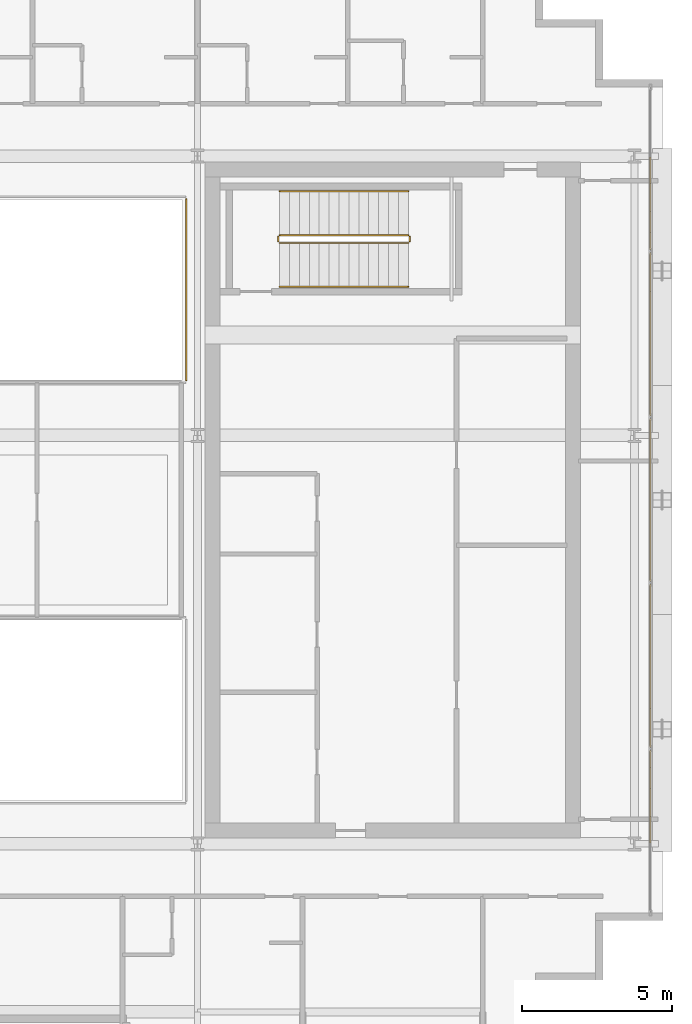
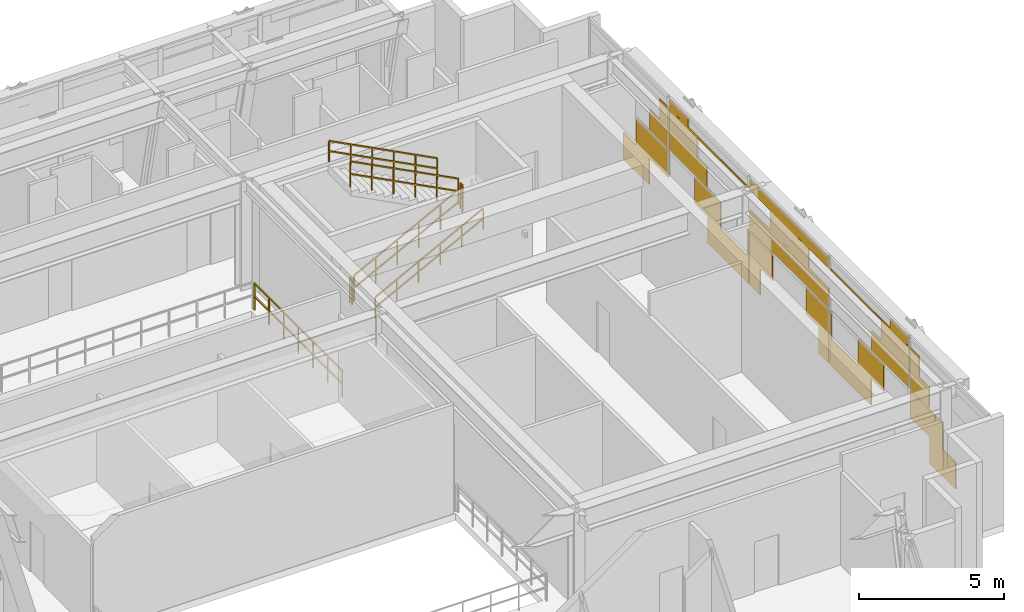
# One storey, part 30 of 31: 7 railings, 1 covering.
"""IFC4 building model written with IfcOpenShell, lengths in metres."""

from ifc_helpers import new_model, si_unit, direction, frame, origin, origin_2d, place, context, subcontext, project, spatial, rectangle, extrude, material, layer, layer_set, type_object, element, save


model = new_model("IFC4")

# Units and contexts
model_context = context("Model", 3, precision=1e-05, world=origin(), true_north=direction((0.0, 1.0)))
body_context = subcontext(model_context, "Body", "Model", "MODEL_VIEW")
ifc_project = project(units=[si_unit("LENGTHUNIT", "METRE"), si_unit("AREAUNIT", "SQUARE_METRE"), si_unit("VOLUMEUNIT", "CUBIC_METRE"), si_unit("PLANEANGLEUNIT", "RADIAN"), si_unit("MASSUNIT", "GRAM", prefix="KILO")], contexts=[model_context])

# Site, building, storey
site_placement = place(None, origin())
site = spatial("IfcSite", under=ifc_project, at=site_placement, CompositionType="ELEMENT")
building_placement = place(site_placement, origin())
building = spatial("IfcBuilding", under=site, at=building_placement, Name="Ocotamira Hotel", CompositionType="ELEMENT")
storey_placement = place(building_placement, frame((0.0, 0.0, 228.0)))
storey = spatial("IfcBuildingStorey", under=building, at=storey_placement, Name="L57", CompositionType="ELEMENT", Elevation=228.0)

# Covering
ifc_material_1 = material(Name="Insulated pale-metal aluminium spandrel panel", Category="aluminium")
ifc_layer = layer(ifc_material_1, 0.044921875)
ifc_layer_set = layer_set([ifc_layer], Name="Insulated pale-metal aluminium spandrel panel")
covering_type = type_object("IfcCoveringType", Name="COV-INFILL-45", PredefinedType="CLADDING", material=ifc_layer_set)
covering_placement = place(storey_placement, origin())
element("IfcCovering", 1, at=covering_placement, inside=storey, type_object=covering_type, Name="L57 Curtain Wall Infill CW-5 CW-L57-E", PredefinedType="CLADDING", context=body_context, shape_type="SweptSolid", body=[
    extrude(rectangle(XDim=1.767578125, YDim=0.044921875, at=origin_2d()), frame((55.580078125, 15.46435546875, 0.07568359375), z_axis=(0.0, 0.0, 1.0), x_axis=(0.0, 1.0, 0.0)), (0.0, 0.0, 1.0), 1.117919921875),
    extrude(rectangle(XDim=2.22021484375, YDim=0.044921875, at=origin_2d()), frame((55.580078125, 16.5693359375, 1.1943359375), z_axis=(0.0, 0.0, 1.0), x_axis=(0.0, 1.0, 0.0)), (0.0, 0.0, 1.0), 1.117919921875),
    extrude(rectangle(XDim=1.282958984375, YDim=0.044921875, at=origin_2d()), frame((55.580078125, 17.0380859375, 2.387939453125), z_axis=(0.0, 0.0, 1.0), x_axis=(0.0, 1.0, 0.0)), (0.0, 0.0, 1.0), 0.8720703125),
    extrude(rectangle(XDim=0.597412109375, YDim=0.044921875, at=origin_2d()), frame((55.580078125, 17.380859375, 3.260986328125), z_axis=(0.0, 0.0, 1.0), x_axis=(0.0, 1.0, 0.0)), (0.0, 0.0, 1.0), 0.8720703125),
    extrude(rectangle(XDim=1.767578125, YDim=0.044921875, at=origin_2d()), frame((55.580078125, 20.390380859375, 1.1943359375), z_axis=(0.0, 0.0, 1.0), x_axis=(0.0, 1.0, 0.0)), (0.0, 0.0, 1.0), 1.117919921875),
    extrude(rectangle(XDim=2.814453125, YDim=0.044921875, at=origin_2d()), frame((55.580078125, 21.792236328125, 0.07568359375), z_axis=(0.0, 0.0, 1.0), x_axis=(0.0, 1.0, 0.0)), (0.0, 0.0, 1.0), 1.117919921875),
    extrude(rectangle(XDim=0.10693359375, YDim=0.044921875, at=origin_2d()), frame((55.580078125, 23.14599609375, 1.1943359375), z_axis=(0.0, 0.0, 1.0), x_axis=(0.0, 1.0, 0.0)), (0.0, 0.0, 1.0), 1.117919921875),
    extrude(rectangle(XDim=2.576171875, YDim=0.044921875, at=origin_2d()), frame((55.580078125, 19.048583984375, 2.387939453125), z_axis=(0.0, 0.0, 1.0), x_axis=(0.0, 1.0, 0.0)), (0.0, 0.0, 1.0), 0.83447265625),
    extrude(rectangle(XDim=1.920166015625, YDim=0.044921875, at=origin_2d()), frame((55.580078125, 18.720458984375, 3.223388671875), z_axis=(0.0, 0.0, 1.0), x_axis=(0.0, 1.0, 0.0)), (0.0, 0.0, 1.0), 0.83447265625),
    extrude(rectangle(XDim=5.43896484375, YDim=0.044921875, at=origin_2d()), frame((55.580078125, 20.47998046875, 4.058837890625), z_axis=(0.0, 0.0, 1.0), x_axis=(0.0, 1.0, 0.0)), (0.0, 0.0, 1.0), 0.07421875),
    extrude(rectangle(XDim=1.30126953125, YDim=0.044921875, at=origin_2d()), frame((55.580078125, 18.4111328125, 4.1337890625), z_axis=(0.0, 0.0, 1.0), x_axis=(0.0, 1.0, 0.0)), (0.0, 0.0, 1.0), 0.37060546875),
    extrude(rectangle(XDim=0.700927734375, YDim=0.044921875, at=origin_2d()), frame((55.580078125, 23.631103515625, 0.07568359375), z_axis=(0.0, 0.0, 1.0), x_axis=(0.0, 1.0, 0.0)), (0.0, 0.0, 1.0), 1.117919921875),
    extrude(rectangle(XDim=1.57958984375, YDim=0.044921875, at=origin_2d()), frame((55.580078125, 24.0703125, 1.1943359375), z_axis=(0.0, 0.0, 1.0), x_axis=(0.0, 1.0, 0.0)), (0.0, 0.0, 1.0), 1.117919921875),
    extrude(rectangle(XDim=1.57958984375, YDim=0.044921875, at=origin_2d()), frame((55.580078125, 27.9296875, 1.1943359375), z_axis=(0.0, 0.0, 1.0), x_axis=(0.0, 1.0, 0.0)), (0.0, 0.0, 1.0), 1.117919921875),
    extrude(rectangle(XDim=0.700927734375, YDim=0.044921875, at=origin_2d()), frame((55.580078125, 28.368896484375, 0.07568359375), z_axis=(0.0, 0.0, 1.0), x_axis=(0.0, 1.0, 0.0)), (0.0, 0.0, 1.0), 1.117919921875),
    extrude(rectangle(XDim=5.43896484375, YDim=0.044921875, at=origin_2d()), frame((55.580078125, 26.0, 2.387939453125), z_axis=(0.0, 0.0, 1.0), x_axis=(0.0, 1.0, 0.0)), (0.0, 0.0, 1.0), 0.83447265625),
    extrude(rectangle(XDim=5.43896484375, YDim=0.044921875, at=origin_2d()), frame((55.580078125, 26.0, 4.05859375), z_axis=(0.0, 0.0, 1.0), x_axis=(0.0, 1.0, 0.0)), (0.0, 0.0, 1.0), 0.44580078125),
    extrude(rectangle(XDim=2.6279296875, YDim=0.044921875, at=origin_2d()), frame((55.580078125, 26.0, 3.223388671875), z_axis=(0.0, 0.0, 1.0), x_axis=(0.0, 1.0, 0.0)), (0.0, 0.0, 1.0), 0.83447265625),
    extrude(rectangle(XDim=2.814453125, YDim=0.044921875, at=origin_2d()), frame((55.580078125, 30.207763671875, 0.07568359375), z_axis=(0.0, 0.0, 1.0), x_axis=(0.0, 1.0, 0.0)), (0.0, 0.0, 1.0), 1.117919921875),
    extrude(rectangle(XDim=0.10693359375, YDim=0.044921875, at=origin_2d()), frame((55.580078125, 28.85400390625, 1.1943359375), z_axis=(0.0, 0.0, 1.0), x_axis=(0.0, 1.0, 0.0)), (0.0, 0.0, 1.0), 1.117919921875),
    extrude(rectangle(XDim=1.767578125, YDim=0.044921875, at=origin_2d()), frame((55.580078125, 31.609619140625, 1.1943359375), z_axis=(0.0, 0.0, 1.0), x_axis=(0.0, 1.0, 0.0)), (0.0, 0.0, 1.0), 1.117919921875),
    extrude(rectangle(XDim=5.43896484375, YDim=0.044921875, at=origin_2d()), frame((55.580078125, 31.52001953125, 4.058837890625), z_axis=(0.0, 0.0, 1.0), x_axis=(0.0, 1.0, 0.0)), (0.0, 0.0, 1.0), 0.07421875),
    extrude(rectangle(XDim=2.576171875, YDim=0.044921875, at=origin_2d()), frame((55.580078125, 32.951416015625, 2.387939453125), z_axis=(0.0, 0.0, 1.0), x_axis=(0.0, 1.0, 0.0)), (0.0, 0.0, 1.0), 0.83447265625),
    extrude(rectangle(XDim=1.920166015625, YDim=0.044921875, at=origin_2d()), frame((55.580078125, 33.279541015625, 3.223388671875), z_axis=(0.0, 0.0, 1.0), x_axis=(0.0, 1.0, 0.0)), (0.0, 0.0, 1.0), 0.83447265625),
    extrude(rectangle(XDim=1.30126953125, YDim=0.044921875, at=origin_2d()), frame((55.580078125, 33.5888671875, 4.1337890625), z_axis=(0.0, 0.0, 1.0), x_axis=(0.0, 1.0, 0.0)), (0.0, 0.0, 1.0), 0.37060546875),
    extrude(rectangle(XDim=2.22021484375, YDim=0.044921875, at=origin_2d()), frame((55.580078125, 35.4306640625, 1.1943359375), z_axis=(0.0, 0.0, 1.0), x_axis=(0.0, 1.0, 0.0)), (0.0, 0.0, 1.0), 1.117919921875),
    extrude(rectangle(XDim=1.767578125, YDim=0.044921875, at=origin_2d()), frame((55.580078125, 36.53564453125, 0.07568359375), z_axis=(0.0, 0.0, 1.0), x_axis=(0.0, 1.0, 0.0)), (0.0, 0.0, 1.0), 1.117919921875),
    extrude(rectangle(XDim=1.282958984375, YDim=0.044921875, at=origin_2d()), frame((55.580078125, 34.9619140625, 2.387939453125), z_axis=(0.0, 0.0, 1.0), x_axis=(0.0, 1.0, 0.0)), (0.0, 0.0, 1.0), 0.8720703125),
    extrude(rectangle(XDim=0.597412109375, YDim=0.044921875, at=origin_2d()), frame((55.580078125, 34.619140625, 3.260986328125), z_axis=(0.0, 0.0, 1.0), x_axis=(0.0, 1.0, 0.0)), (0.0, 0.0, 1.0), 0.8720703125),
])

# Railings
ifc_material_2 = material(Name="Painted steel stair guardrail", Category="steel")
railing_type_1 = type_object("IfcRailingType", Name="RL-EDGE-1150", PredefinedType="GUARDRAIL", material=ifc_material_2)
railing_1_placement = place(storey_placement, frame((40.1201171875, 29.97998046875, 0.0)))
element("IfcRailing", 2, at=railing_1_placement, inside=storey, type_object=railing_type_1, Name="L57 Atrium Bridge Lightwell Guard N E", PredefinedType="GUARDRAIL", context=body_context, shape_type="SweptSolid", body=[
    extrude(rectangle(XDim=0.048095703125, YDim=0.048095703125, at=origin_2d()), frame((0.0, 0.0, 1.1259765625), z_axis=(0.0, 1.0, 0.0), x_axis=(-1.0, 0.0, 0.0)), (0.0, 0.0, 1.0), 6.0400390625),
    extrude(rectangle(XDim=0.048095703125, YDim=0.048095703125, at=origin_2d()), frame((0.0, 0.0, 0.574951171875), z_axis=(0.0, 1.0, 0.0), x_axis=(-1.0, 0.0, 0.0)), (0.0, 0.0, 1.0), 6.0400390625),
    extrude(rectangle(XDim=0.0419921875, YDim=0.0419921875, at=origin_2d()), origin(), (0.0, 0.0, 1.0), 1.101806640625),
    extrude(rectangle(XDim=0.0419921875, YDim=0.0419921875, at=origin_2d()), frame((0.0, 1.006591796875, 0.0)), (0.0, 0.0, 1.0), 1.101806640625),
    extrude(rectangle(XDim=0.0419921875, YDim=0.0419921875, at=origin_2d()), frame((0.0, 2.013427734375, 0.0)), (0.0, 0.0, 1.0), 1.101806640625),
    extrude(rectangle(XDim=0.0419921875, YDim=0.0419921875, at=origin_2d()), frame((0.0, 3.02001953125, 0.0)), (0.0, 0.0, 1.0), 1.101806640625),
    extrude(rectangle(XDim=0.0419921875, YDim=0.0419921875, at=origin_2d()), frame((0.0, 4.026611328125, 0.0)), (0.0, 0.0, 1.0), 1.101806640625),
    extrude(rectangle(XDim=0.0419921875, YDim=0.0419921875, at=origin_2d()), frame((0.0, 5.033447265625, 0.0)), (0.0, 0.0, 1.0), 1.101806640625),
    extrude(rectangle(XDim=0.0419921875, YDim=0.0419921875, at=origin_2d()), frame((0.0, 6.0400390625, 0.0)), (0.0, 0.0, 1.0), 1.101806640625),
])
ifc_material_3 = material(Name="Brushed stainless steel handrail", Category="steel")
railing_type_2 = type_object("IfcRailingType", Name="RL-HAND-900", PredefinedType="HANDRAIL", material=ifc_material_3)
railing_2_placement = place(storey_placement, frame((43.22998046875, 33.10009765625, 0.3427734375)))
element("IfcRailing", 3, at=railing_2_placement, inside=storey, type_object=railing_type_2, Name="L57 ST-4 stair handrail 1", PredefinedType="HANDRAIL", context=body_context, shape_type="SweptSolid", body=[
    extrude(rectangle(XDim=0.048095703125, YDim=0.048095703125, at=origin_2d()), frame((0.0, 0.0, 0.8759765625), z_axis=(0.887391199149, 0.0, 0.46101720106), x_axis=(0.0, 1.0, 0.0)), (0.0, 0.0, 1.0), 4.83447265625),
    extrude(rectangle(XDim=0.048095703125, YDim=0.048095703125, at=origin_2d()), frame((0.0, 0.0, 0.449951171875), z_axis=(0.887391199149, 0.0, 0.46101720106), x_axis=(0.0, 1.0, 0.0)), (0.0, 0.0, 1.0), 4.83447265625),
    extrude(rectangle(XDim=0.0419921875, YDim=0.0419921875, at=origin_2d()), origin(), (0.0, 0.0, 1.0), 0.851806640625),
    extrude(rectangle(XDim=0.0419921875, YDim=0.0419921875, at=origin_2d()), frame((0.85791015625, 0.0, 0.44580078125)), (0.0, 0.0, 1.0), 0.851806640625),
    extrude(rectangle(XDim=0.0419921875, YDim=0.0419921875, at=origin_2d()), frame((1.716064453125, 0.0, 0.8916015625)), (0.0, 0.0, 1.0), 0.851806640625),
    extrude(rectangle(XDim=0.0419921875, YDim=0.0419921875, at=origin_2d()), frame((2.573974609375, 0.0, 1.337158203125)), (0.0, 0.0, 1.0), 0.851806640625),
    extrude(rectangle(XDim=0.0419921875, YDim=0.0419921875, at=origin_2d()), frame((3.43212890625, 0.0, 1.782958984375)), (0.0, 0.0, 1.0), 0.851806640625),
    extrude(rectangle(XDim=0.0419921875, YDim=0.0419921875, at=origin_2d()), frame((4.2900390625, 0.0, 2.228759765625)), (0.0, 0.0, 1.0), 0.851806640625),
])
railing_3_placement = place(storey_placement, frame((47.52001953125, 36.280029296875, 2.742919921875)))
element("IfcRailing", 4, at=railing_3_placement, inside=storey, type_object=railing_type_2, Name="L57 ST-4 stair handrail 2", PredefinedType="HANDRAIL", context=body_context, shape_type="SweptSolid", body=[
    extrude(rectangle(XDim=0.048095703125, YDim=0.048095703125, at=origin_2d()), frame((0.0, 0.0, 0.8759765625), z_axis=(-0.887411858541, 0.0, 0.46097743255), x_axis=(0.0, -1.0, 0.0)), (0.0, 0.0, 1.0), 4.834228515625),
    extrude(rectangle(XDim=0.048095703125, YDim=0.048095703125, at=origin_2d()), frame((0.0, 0.0, 0.449951171875), z_axis=(-0.887411858541, 0.0, 0.46097743255), x_axis=(0.0, -1.0, 0.0)), (0.0, 0.0, 1.0), 4.834228515625),
    extrude(rectangle(XDim=0.0419921875, YDim=0.0419921875, at=origin_2d()), origin(), (0.0, 0.0, 1.0), 0.851806640625),
    extrude(rectangle(XDim=0.0419921875, YDim=0.0419921875, at=origin_2d()), frame((-0.85791015625, 0.0, 0.44580078125)), (0.0, 0.0, 1.0), 0.851806640625),
    extrude(rectangle(XDim=0.0419921875, YDim=0.0419921875, at=origin_2d()), frame((-1.716064453125, 0.0, 0.891357421875)), (0.0, 0.0, 1.0), 0.851806640625),
    extrude(rectangle(XDim=0.0419921875, YDim=0.0419921875, at=origin_2d()), frame((-2.573974609375, 0.0, 1.337158203125)), (0.0, 0.0, 1.0), 0.851806640625),
    extrude(rectangle(XDim=0.0419921875, YDim=0.0419921875, at=origin_2d()), frame((-3.43212890625, 0.0, 1.78271484375)), (0.0, 0.0, 1.0), 0.851806640625),
    extrude(rectangle(XDim=0.0419921875, YDim=0.0419921875, at=origin_2d()), frame((-4.2900390625, 0.0, 2.228515625)), (0.0, 0.0, 1.0), 0.851806640625),
])
railing_type_3 = type_object("IfcRailingType", Name="RL-STAIR-1100", PredefinedType="GUARDRAIL", material=ifc_material_2)
railing_4_placement = place(storey_placement, frame((43.22998046875, 34.56005859375, 0.17138671875)))
element("IfcRailing", 5, at=railing_4_placement, inside=storey, type_object=railing_type_3, Name="L57 ST-4 stair guard 1", PredefinedType="GUARDRAIL", context=body_context, shape_type="SweptSolid", body=[
    extrude(rectangle(XDim=0.048095703125, YDim=0.048095703125, at=origin_2d()), frame((0.0, 0.0, 1.076171875), z_axis=(0.887411858541, 0.0, 0.46097743255), x_axis=(0.0, 1.0, 0.0)), (0.0, 0.0, 1.0), 4.834228515625),
    extrude(rectangle(XDim=0.048095703125, YDim=0.048095703125, at=origin_2d()), frame((0.0, 0.0, 0.550048828125), z_axis=(0.887411858541, 0.0, 0.46097743255), x_axis=(0.0, 1.0, 0.0)), (0.0, 0.0, 1.0), 4.834228515625),
    extrude(rectangle(XDim=0.0419921875, YDim=0.0419921875, at=origin_2d()), origin(), (0.0, 0.0, 1.0), 1.052001953125),
    extrude(rectangle(XDim=0.0419921875, YDim=0.0419921875, at=origin_2d()), frame((0.85791015625, 0.0, 0.44580078125)), (0.0, 0.0, 1.0), 1.052001953125),
    extrude(rectangle(XDim=0.0419921875, YDim=0.0419921875, at=origin_2d()), frame((1.716064453125, 0.0, 0.891357421875)), (0.0, 0.0, 1.0), 1.052001953125),
    extrude(rectangle(XDim=0.0419921875, YDim=0.0419921875, at=origin_2d()), frame((2.573974609375, 0.0, 1.337158203125)), (0.0, 0.0, 1.0), 1.052001953125),
    extrude(rectangle(XDim=0.0419921875, YDim=0.0419921875, at=origin_2d()), frame((3.43212890625, 0.0, 1.78271484375)), (0.0, 0.0, 1.0), 1.052001953125),
    extrude(rectangle(XDim=0.0419921875, YDim=0.0419921875, at=origin_2d()), frame((4.2900390625, 0.0, 2.228515625)), (0.0, 0.0, 1.0), 1.052001953125),
])
railing_5_placement = place(storey_placement, frame((47.570068359375, 34.610107421875, 2.39990234375)))
element("IfcRailing", 6, at=railing_5_placement, inside=storey, type_object=railing_type_3, Name="L57 ST-4 stair guard 2", PredefinedType="GUARDRAIL", context=body_context, shape_type="SweptSolid", body=[
    extrude(rectangle(XDim=0.048095703125, YDim=0.048095703125, at=origin_2d()), frame((0.0, 0.0, 1.076171875), z_axis=(0.0, 1.0, 0.0), x_axis=(-1.0, 0.0, 0.0)), (0.0, 0.0, 1.0), 0.159912109375),
    extrude(rectangle(XDim=0.048095703125, YDim=0.048095703125, at=origin_2d()), frame((0.0, 0.0, 0.550048828125), z_axis=(0.0, 1.0, 0.0), x_axis=(-1.0, 0.0, 0.0)), (0.0, 0.0, 1.0), 0.159912109375),
    extrude(rectangle(XDim=0.0419921875, YDim=0.0419921875, at=origin_2d()), origin(), (0.0, 0.0, 1.0), 1.052001953125),
    extrude(rectangle(XDim=0.0419921875, YDim=0.0419921875, at=origin_2d()), frame((0.0, 0.159912109375, 0.0)), (0.0, 0.0, 1.0), 1.052001953125),
])
railing_6_placement = place(storey_placement, frame((47.52001953125, 34.820068359375, 2.571533203125)))
element("IfcRailing", 7, at=railing_6_placement, inside=storey, type_object=railing_type_3, Name="L57 ST-4 stair guard 3", PredefinedType="GUARDRAIL", context=body_context, shape_type="SweptSolid", body=[
    extrude(rectangle(XDim=0.048095703125, YDim=0.048095703125, at=origin_2d()), frame((0.0, 0.0, 1.076171875), z_axis=(-0.887411858541, 0.0, 0.46097743255), x_axis=(0.0, -1.0, 0.0)), (0.0, 0.0, 1.0), 4.834228515625),
    extrude(rectangle(XDim=0.048095703125, YDim=0.048095703125, at=origin_2d()), frame((0.0, 0.0, 0.550048828125), z_axis=(-0.887411858541, 0.0, 0.46097743255), x_axis=(0.0, -1.0, 0.0)), (0.0, 0.0, 1.0), 4.834228515625),
    extrude(rectangle(XDim=0.0419921875, YDim=0.0419921875, at=origin_2d()), origin(), (0.0, 0.0, 1.0), 1.052001953125),
    extrude(rectangle(XDim=0.0419921875, YDim=0.0419921875, at=origin_2d()), frame((-0.85791015625, 0.0, 0.44580078125)), (0.0, 0.0, 1.0), 1.052001953125),
    extrude(rectangle(XDim=0.0419921875, YDim=0.0419921875, at=origin_2d()), frame((-1.716064453125, 0.0, 0.891357421875)), (0.0, 0.0, 1.0), 1.052001953125),
    extrude(rectangle(XDim=0.0419921875, YDim=0.0419921875, at=origin_2d()), frame((-2.573974609375, 0.0, 1.337158203125)), (0.0, 0.0, 1.0), 1.052001953125),
    extrude(rectangle(XDim=0.0419921875, YDim=0.0419921875, at=origin_2d()), frame((-3.43212890625, 0.0, 1.78271484375)), (0.0, 0.0, 1.0), 1.052001953125),
    extrude(rectangle(XDim=0.0419921875, YDim=0.0419921875, at=origin_2d()), frame((-4.2900390625, 0.0, 2.228515625)), (0.0, 0.0, 1.0), 1.052001953125),
])
railing_7_placement = place(storey_placement, frame((43.179931640625, 34.610107421875, 0.0)))
element("IfcRailing", 8, at=railing_7_placement, inside=storey, type_object=railing_type_3, Name="L57 ST-4 stair guard 4", PredefinedType="GUARDRAIL", context=body_context, shape_type="SweptSolid", body=[
    extrude(rectangle(XDim=0.048095703125, YDim=0.048095703125, at=origin_2d()), frame((0.0, 0.0, 1.076171875), z_axis=(0.0, 1.0, 0.0), x_axis=(-1.0, 0.0, 0.0)), (0.0, 0.0, 1.0), 0.159912109375),
    extrude(rectangle(XDim=0.048095703125, YDim=0.048095703125, at=origin_2d()), frame((0.0, 0.0, 0.550048828125), z_axis=(0.0, 1.0, 0.0), x_axis=(-1.0, 0.0, 0.0)), (0.0, 0.0, 1.0), 0.159912109375),
    extrude(rectangle(XDim=0.0419921875, YDim=0.0419921875, at=origin_2d()), origin(), (0.0, 0.0, 1.0), 1.052001953125),
    extrude(rectangle(XDim=0.0419921875, YDim=0.0419921875, at=origin_2d()), frame((0.0, 0.159912109375, 0.0)), (0.0, 0.0, 1.0), 1.052001953125),
])

save(model, "model.ifc")
